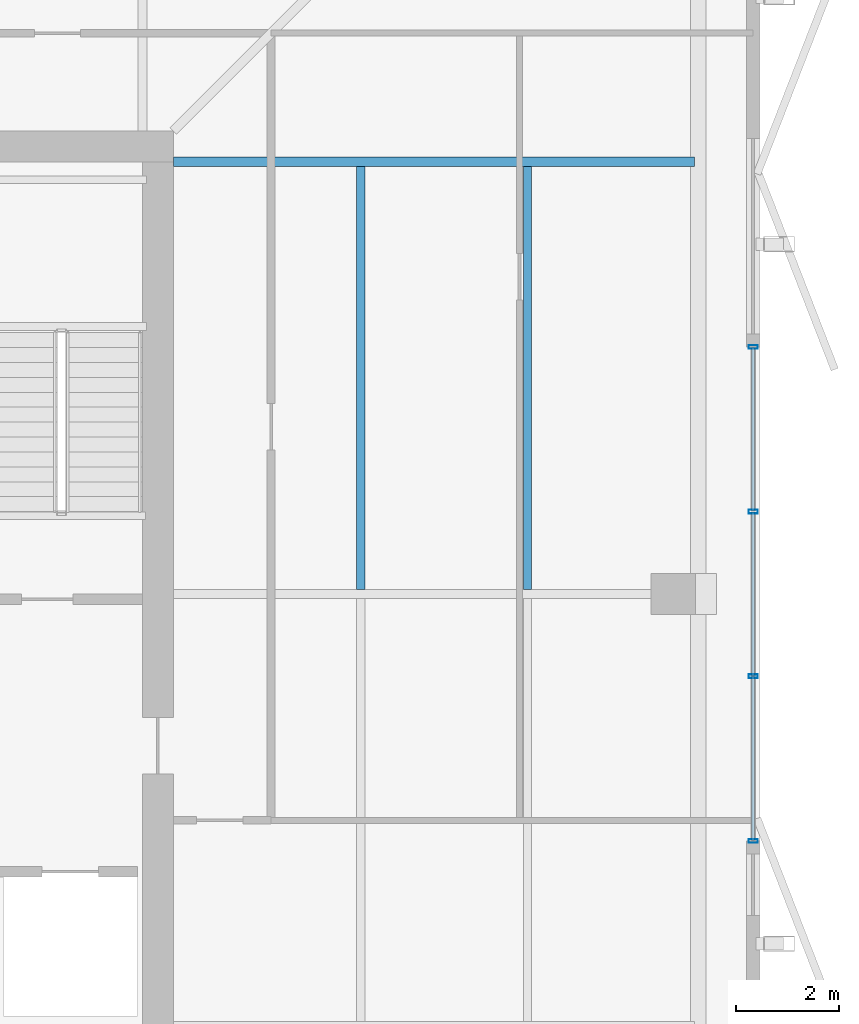
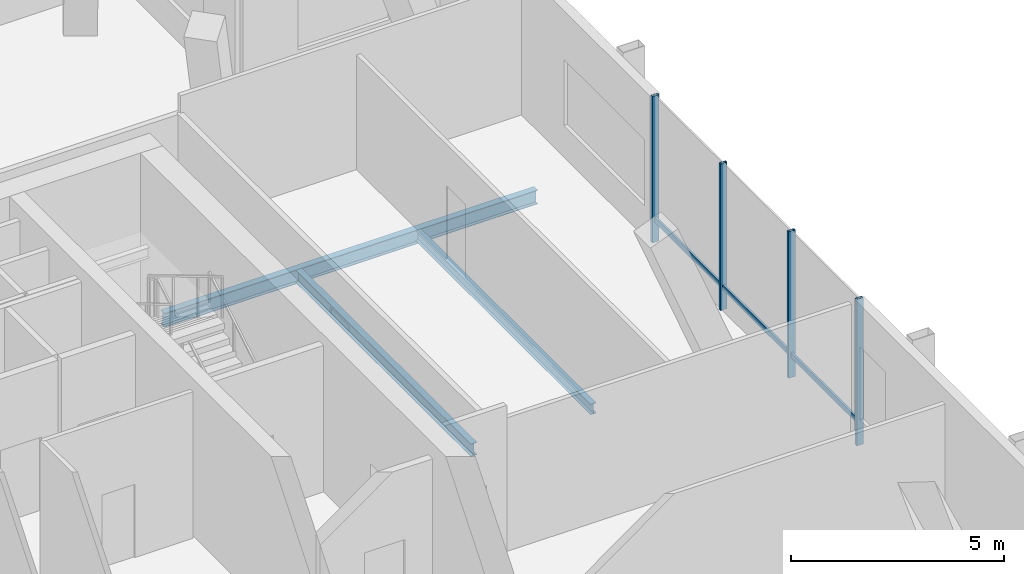
# One storey, part 7 of 16: 7 members, 3 beams, 1 element without a shape of its own.
"""IFC4 building model written with IfcOpenShell, lengths in metres."""

from ifc_helpers import new_model, si_unit, direction, frame, origin, origin_2d, place, context, subcontext, project, spatial, hollow_rectangle, i_section, extrude, material, layer, layer_set, material_profile, profile_set, type_object, element, aggregate, save


model = new_model("IFC4")

# Units and contexts
model_context = context("Model", 3, precision=1e-05, world=origin(), true_north=direction((0.0, 1.0)))
body_context = subcontext(model_context, "Body", "Model", "MODEL_VIEW")
ifc_project = project(units=[si_unit("LENGTHUNIT", "METRE"), si_unit("AREAUNIT", "SQUARE_METRE"), si_unit("VOLUMEUNIT", "CUBIC_METRE"), si_unit("PLANEANGLEUNIT", "RADIAN"), si_unit("MASSUNIT", "GRAM", prefix="KILO")], contexts=[model_context])

# Site, building, storey
site_placement = place(None, origin())
site = spatial("IfcSite", under=ifc_project, at=site_placement, CompositionType="ELEMENT")
building_placement = place(site_placement, origin())
building = spatial("IfcBuilding", under=site, at=building_placement, Name="Belovzor Exchange Tower", CompositionType="ELEMENT")
storey_placement = place(building_placement, frame((0.0, 0.0, 364.5)))
storey = spatial("IfcBuildingStorey", under=building, at=storey_placement, Name="L91", CompositionType="ELEMENT", Elevation=364.5)

# Beams
ifc_material_1 = material(Name="Steel S355", Category="steel")
ifc_material_profile_1 = material_profile(ifc_material_1, i_section(OverallWidth=0.169921875, OverallDepth=0.360107421875, WebThickness=0.008056640625, FlangeThickness=0.0126953125, at=origin_2d()))
ifc_profile_set_1 = profile_set([ifc_material_profile_1], Name="Steel S355")
beam_type_1 = type_object("IfcBeamType", Name="Secondary Infill Floor Joist IPE 360", PredefinedType="BEAM", material=ifc_profile_set_1)
beam_1_placement = place(storey_placement, frame((41.445068359375, 28.889892578125, -0.43994140625), z_axis=(0.0, 1.0, 0.0), x_axis=(-1.0, 0.0, 0.0)))
element("IfcBeam", 1, at=beam_1_placement, inside=storey, type_object=beam_type_1, Name="FJ-360 Secondary Infill Floor Joist IPE 360", PredefinedType="BEAM", context=body_context, shape_type="SweptSolid", body=[
    extrude(i_section(OverallWidth=0.169921875, OverallDepth=0.360107421875, WebThickness=0.008056640625, FlangeThickness=0.0126953125, at=origin_2d()), origin(), (0.0, 0.0, 1.0), 8.22021484375),
])
ifc_material_2 = material(Name="Steel S355", Category="steel")
ifc_material_profile_2 = material_profile(ifc_material_2, i_section(OverallWidth=0.14990234375, OverallDepth=0.300048828125, WebThickness=0.007080078125, FlangeThickness=0.0107421875, at=origin_2d()))
ifc_profile_set_2 = profile_set([ifc_material_profile_2], Name="Steel S355")
beam_type_2 = type_object("IfcBeamType", Name="Secondary Trim Floor Joist IPE 300", PredefinedType="BEAM", material=ifc_profile_set_2)
beam_2_placement = place(storey_placement, frame((44.68505859375, 28.889892578125, -0.409912109375), z_axis=(0.0, 1.0, 0.0), x_axis=(-1.0, 0.0, 0.0)))
element("IfcBeam", 2, at=beam_2_placement, inside=storey, type_object=beam_type_2, Name="FJ-300 Secondary Trim Floor Joist IPE 300", PredefinedType="BEAM", context=body_context, shape_type="SweptSolid", body=[
    extrude(i_section(OverallWidth=0.14990234375, OverallDepth=0.300048828125, WebThickness=0.007080078125, FlangeThickness=0.0107421875, at=origin_2d()), origin(), (0.0, 0.0, 1.0), 8.22021484375),
])

# Curtain wall, members
ifc_material_3 = material(Name="Anodised Aluminium Framing", Category="aluminium")
ifc_layer = layer(ifc_material_3, 0.169921875)
ifc_layer_set = layer_set([ifc_layer], Name="Anodised Aluminium Framing")
curtain_wall_type = type_object("IfcCurtainWallType", Name="Stepped Crown Faceted Lantern Curtain Wall", PredefinedType="NOTDEFINED", material=ifc_layer_set)
curtain_wall_placement = place(storey_placement, origin())
curtain_wall = element("IfcCurtainWall", 3, at=curtain_wall_placement, inside=storey, type_object=curtain_wall_type, Name="CW6 Stepped Crown Faceted Lantern Curtain Wall L91", PredefinedType="NOTDEFINED")
ifc_material_4 = material(Name="Steel S355", Category="steel")
ifc_material_profile_3 = material_profile(ifc_material_4, hollow_rectangle(XDim=0.074951171875, YDim=0.179931640625, WallThickness=0.0048828125, at=origin_2d()))
ifc_profile_set_3 = profile_set([ifc_material_profile_3], Name="Steel S355")
member_type_1 = type_object("IfcMemberType", Name="Thermally Broken Curtain Wall Mullion 180x75", PredefinedType="MULLION", material=ifc_profile_set_3)
member_1_placement = place(storey_placement, frame((49.070068359375, 33.60009765625, 0.0), z_axis=(0.0, 0.0, 1.0), x_axis=(0.0, -1.0, 0.0)))
member_1 = element("IfcMember", 4, at=member_1_placement, type_object=member_type_1, Name="CW-M180 Curtain Wall Mullion 1", PredefinedType="MULLION", context=body_context, shape_type="SweptSolid", body=[
    extrude(hollow_rectangle(XDim=0.074951171875, YDim=0.179931640625, WallThickness=0.0048828125, at=origin_2d()), origin(), (0.0, 0.0, 1.0), 4.199951171875),
])
member_2_placement = place(storey_placement, frame((49.070068359375, 30.39990234375, 0.0), z_axis=(0.0, 0.0, 1.0), x_axis=(0.0, -1.0, 0.0)))
member_2 = element("IfcMember", 5, at=member_2_placement, type_object=member_type_1, Name="CW-M180 Curtain Wall Mullion 2", PredefinedType="MULLION", context=body_context, shape_type="SweptSolid", body=[
    extrude(hollow_rectangle(XDim=0.074951171875, YDim=0.179931640625, WallThickness=0.0048828125, at=origin_2d()), origin(), (0.0, 0.0, 1.0), 4.199951171875),
])
member_3_placement = place(storey_placement, frame((49.070068359375, 27.199951171875, 0.0), z_axis=(0.0, 0.0, 1.0), x_axis=(0.0, -1.0, 0.0)))
member_3 = element("IfcMember", 6, at=member_3_placement, type_object=member_type_1, Name="CW-M180 Curtain Wall Mullion 3", PredefinedType="MULLION", context=body_context, shape_type="SweptSolid", body=[
    extrude(hollow_rectangle(XDim=0.074951171875, YDim=0.179931640625, WallThickness=0.0048828125, at=origin_2d()), origin(), (0.0, 0.0, 1.0), 4.199951171875),
])
member_4_placement = place(storey_placement, frame((49.070068359375, 24.0, 0.0), z_axis=(0.0, 0.0, 1.0), x_axis=(0.0, -1.0, 0.0)))
member_4 = element("IfcMember", 7, at=member_4_placement, type_object=member_type_1, Name="CW-M180 Curtain Wall Mullion 4", PredefinedType="MULLION", context=body_context, shape_type="SweptSolid", body=[
    extrude(hollow_rectangle(XDim=0.074951171875, YDim=0.179931640625, WallThickness=0.0048828125, at=origin_2d()), origin(), (0.0, 0.0, 1.0), 4.199951171875),
])
ifc_material_5 = material(Name="Steel S355", Category="steel")
ifc_material_profile_4 = material_profile(ifc_material_5, hollow_rectangle(XDim=0.06005859375, YDim=0.14990234375, WallThickness=0.00390625, at=origin_2d()))
ifc_profile_set_4 = profile_set([ifc_material_profile_4], Name="Steel S355")
member_type_2 = type_object("IfcMemberType", Name="Thermally Broken Curtain Wall Transom 150x60", PredefinedType="USERDEFINED", material=ifc_profile_set_4)
member_5_placement = place(storey_placement, frame((49.070068359375, 33.592041015625, 0.64990234375), z_axis=(0.0, -1.0, 0.0), x_axis=(1.0, 0.0, 0.0)))
member_5 = element("IfcMember", 8, at=member_5_placement, type_object=member_type_2, Name="CW-T150 Curtain Wall Transom 1", ObjectType="TRANSOM", PredefinedType="USERDEFINED", context=body_context, shape_type="SweptSolid", body=[
    extrude(hollow_rectangle(XDim=0.06005859375, YDim=0.14990234375, WallThickness=0.00390625, at=origin_2d()), origin(), (0.0, 0.0, 1.0), 3.18408203125),
])
member_6_placement = place(storey_placement, frame((49.070068359375, 30.39208984375, 0.64990234375), z_axis=(0.0, -1.0, 0.0), x_axis=(1.0, 0.0, 0.0)))
member_6 = element("IfcMember", 9, at=member_6_placement, type_object=member_type_2, Name="CW-T150 Curtain Wall Transom 2", ObjectType="TRANSOM", PredefinedType="USERDEFINED", context=body_context, shape_type="SweptSolid", body=[
    extrude(hollow_rectangle(XDim=0.06005859375, YDim=0.14990234375, WallThickness=0.00390625, at=origin_2d()), origin(), (0.0, 0.0, 1.0), 3.18408203125),
])
member_7_placement = place(storey_placement, frame((49.070068359375, 27.19189453125, 0.64990234375), z_axis=(0.0, -1.0, 0.0), x_axis=(1.0, 0.0, 0.0)))
member_7 = element("IfcMember", 10, at=member_7_placement, type_object=member_type_2, Name="CW-T150 Curtain Wall Transom 3", ObjectType="TRANSOM", PredefinedType="USERDEFINED", context=body_context, shape_type="SweptSolid", body=[
    extrude(hollow_rectangle(XDim=0.06005859375, YDim=0.14990234375, WallThickness=0.00390625, at=origin_2d()), origin(), (0.0, 0.0, 1.0), 3.183837890625),
])
aggregate(curtain_wall, [member_1, member_2, member_3, member_4, member_5, member_6, member_7])

# Beam
ifc_material_6 = material(Name="Steel S355", Category="steel")
ifc_material_profile_5 = material_profile(ifc_material_6, i_section(OverallWidth=0.179931640625, OverallDepth=0.39990234375, WebThickness=0.008544921875, FlangeThickness=0.013427734375, at=origin_2d()))
ifc_profile_set_5 = profile_set([ifc_material_profile_5], Name="Steel S355")
beam_type_3 = type_object("IfcBeamType", Name="Zone 5-6 Radial Composite Floor Beam IPE 400", PredefinedType="BEAM", material=ifc_profile_set_5)
beam_3_placement = place(storey_placement, frame((37.800048828125, 37.199951171875, -0.4599609375), z_axis=(1.0, 0.0, 0.0), x_axis=(0.0, 1.0, 0.0)))
element("IfcBeam", 11, at=beam_3_placement, inside=storey, type_object=beam_type_3, Name="FB-400 Zone 5-6 Radial Composite Floor Beam IPE 400", PredefinedType="BEAM", context=body_context, shape_type="SweptSolid", body=[
    extrude(i_section(OverallWidth=0.179931640625, OverallDepth=0.39990234375, WebThickness=0.008544921875, FlangeThickness=0.013427734375, at=origin_2d()), origin(), (0.0, 0.0, 1.0), 10.125),
])

save(model, "model.ifc")
